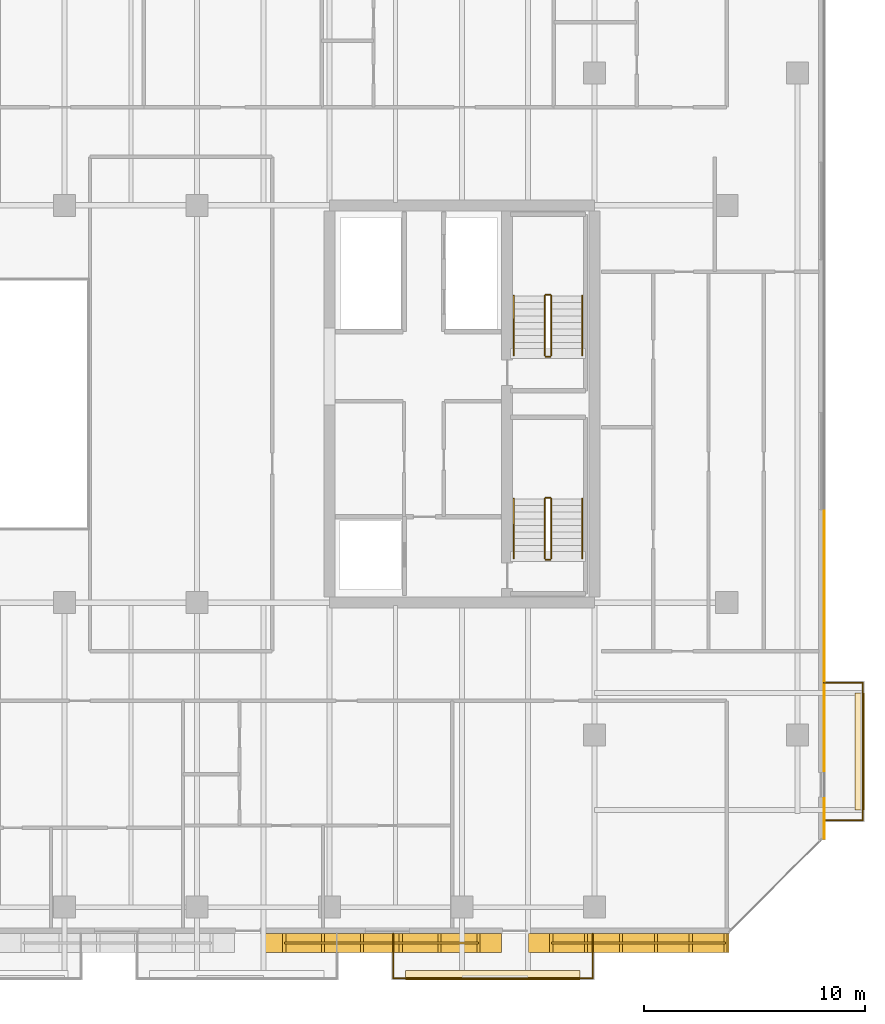
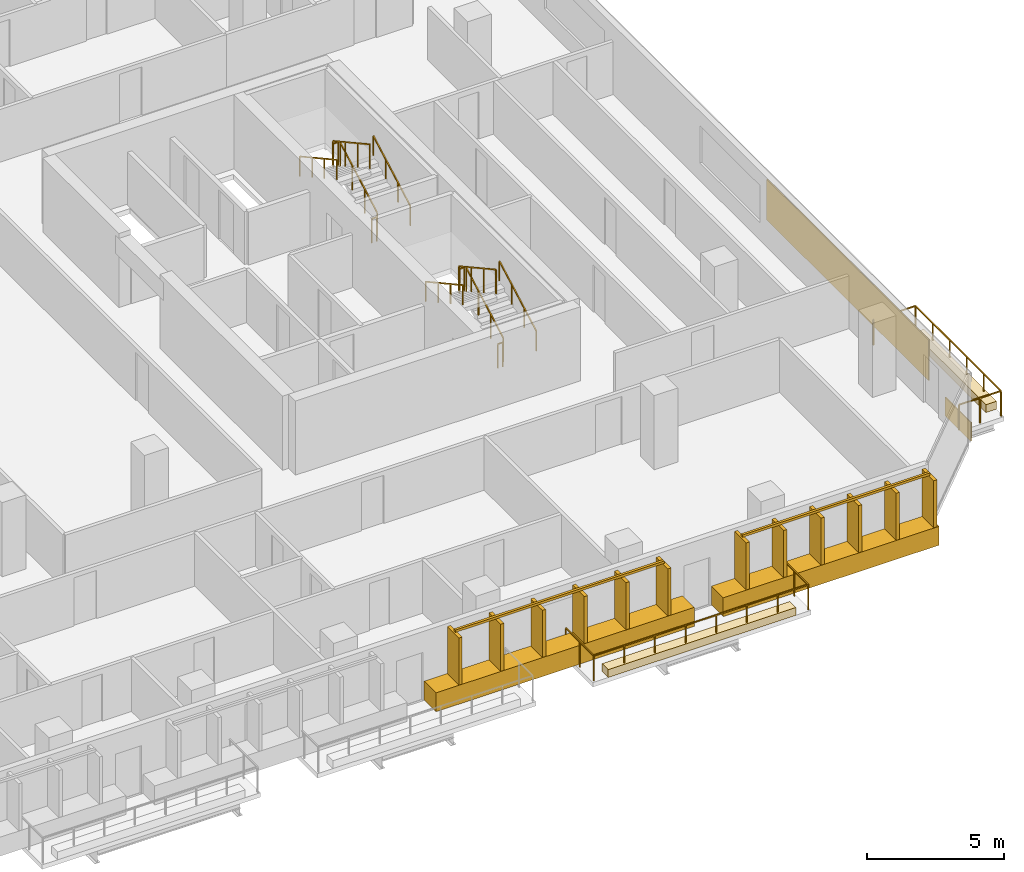
# One storey, part 32 of 33: 16 railings, 6 coverings.
"""IFC4 building model written with IfcOpenShell, lengths in metres."""

from ifc_helpers import new_model, si_unit, direction, frame, origin, origin_2d, place, context, subcontext, project, spatial, polyline, rectangle, outline, extrude, material, layer, layer_set, type_object, element, save


model = new_model("IFC4")

# Units and contexts
model_context = context("Model", 3, precision=1e-05, world=origin(), true_north=direction((0.0, 1.0)))
body_context = subcontext(model_context, "Body", "Model", "MODEL_VIEW")
ifc_project = project(units=[si_unit("LENGTHUNIT", "METRE"), si_unit("AREAUNIT", "SQUARE_METRE"), si_unit("VOLUMEUNIT", "CUBIC_METRE"), si_unit("PLANEANGLEUNIT", "RADIAN"), si_unit("MASSUNIT", "GRAM", prefix="KILO")], contexts=[model_context])

# Site, building, storey
site_placement = place(None, origin())
site = spatial("IfcSite", under=ifc_project, at=site_placement, CompositionType="ELEMENT")
building_placement = place(site_placement, origin())
building = spatial("IfcBuilding", under=site, at=building_placement, Name="Tanjung Sevakor Pilgrim Tower", CompositionType="ELEMENT")
storey_placement = place(building_placement, frame((0.0, 0.0, 95.3701171875)))
storey = spatial("IfcBuildingStorey", under=building, at=storey_placement, Name="L26", CompositionType="ELEMENT", Elevation=95.3701171875)

# Coverings
ifc_material_1 = material(Name="Reconstructed Limestone Cladding", Category="masonry")
ifc_layer_1 = layer(ifc_material_1, 0.044921875)
ifc_layer_set_1 = layer_set([ifc_layer_1], Name="COV-CLAD-LIMESTONE")
covering_type_1 = type_object("IfcCoveringType", Name="COV-CLAD-LIMESTONE", PredefinedType="CLADDING", material=ifc_layer_set_1)
covering_1_placement = place(storey_placement, frame((80.35009765625, 9.169921875, 0.009765625), z_axis=(0.0, 0.0, 1.0), x_axis=(1.0, 0.0, 0.0)))
element("IfcCovering", 1, at=covering_1_placement, inside=storey, type_object=covering_type_1, Name="L26 Warm Limestone Sill Spandrel EW-L26-MAIN-5-3", PredefinedType="CLADDING", context=body_context, shape_type="SweptSolid", body=[
    extrude(rectangle(XDim=10.8798828125, YDim=0.860107421875, at=origin_2d()), origin(), (0.0, 0.0, 1.0), 0.840087890625),
])
covering_2_placement = place(storey_placement, frame((91.55908203125, 9.169921875, 0.009765625), z_axis=(0.0, 0.0, 1.0), x_axis=(1.0, 0.0, 0.0)))
element("IfcCovering", 2, at=covering_2_placement, inside=storey, type_object=covering_type_1, Name="L26 Warm Limestone Sill Spandrel EW-L26-MAIN-5-4", PredefinedType="CLADDING", context=body_context, shape_type="SweptSolid", body=[
    extrude(rectangle(XDim=9.09814453125, YDim=0.860107421875, at=origin_2d()), origin(), (0.0, 0.0, 1.0), 0.840087890625),
])
covering_3_placement = place(storey_placement, frame((100.422607421875, 14.81591796875, 0.009765625), z_axis=(0.0, 0.0, 1.0), x_axis=(0.0, 1.0, 0.0)))
element("IfcCovering", 3, at=covering_3_placement, inside=storey, type_object=covering_type_1, Name="L26 Warm Limestone Sill Spandrel EW-L26-MAIN-7-1", PredefinedType="CLADDING", context=body_context, shape_type="SweptSolid", body=[
    extrude(rectangle(XDim=1.84814453125, YDim=0.044921875, at=origin_2d()), origin(), (0.0, 0.0, 1.0), 0.840087890625),
])
covering_4_placement = place(storey_placement, frame((100.422607421875, 22.85498046875, 0.849853515625), z_axis=(0.0, 0.0, 1.0), x_axis=(0.0, 1.0, 0.0)))
element("IfcCovering", 4, at=covering_4_placement, inside=storey, type_object=covering_type_1, Name="L26 Warm Limestone Pier Panel EW-L26-MAIN-7-1", PredefinedType="CLADDING", context=body_context, shape_type="SweptSolid", body=[
    extrude(rectangle(XDim=11.81005859375, YDim=0.044921875, at=origin_2d()), origin(), (0.0, 0.0, 1.0), 1.81005859375),
])
ifc_material_2 = material(Name="Vegetated Modular Planter Assembly", Category="organic")
ifc_layer_2 = layer(ifc_material_2, 0.35009765625)
ifc_layer_set_2 = layer_set([ifc_layer_2], Name="COV-GRN-TROUGH")
covering_type_2 = type_object("IfcCoveringType", Name="COV-GRN-TROUGH", PredefinedType="CLADDING", material=ifc_layer_set_2)
covering_5_placement = place(storey_placement, origin())
element("IfcCovering", 5, at=covering_5_placement, inside=storey, type_object=covering_type_2, Name="L26 Planted Landscape Hedge Trough BGRN-L26-MAIN-S4", PredefinedType="CLADDING", context=body_context, shape_type="SweptSolid", body=[
    extrude(outline(polyline([(81.449951171875, 7.5), (89.35009765625, 7.5), (89.35009765625, 7.93994140625), (81.449951171875, 7.93994140625), (81.449951171875, 7.5)])), origin(), (0.0, 0.0, 1.0), 0.349853515625),
])
covering_6_placement = place(storey_placement, origin())
element("IfcCovering", 6, at=covering_6_placement, inside=storey, type_object=covering_type_2, Name="L26 Planted Landscape Hedge Trough BGRN-L26-MAIN-E1", PredefinedType="CLADDING", context=body_context, shape_type="SweptSolid", body=[
    extrude(outline(polyline([(102.25, 15.199951171875), (102.25, 20.5), (101.81005859375, 20.5), (101.81005859375, 15.199951171875), (102.25, 15.199951171875)])), origin(), (0.0, 0.0, 1.0), 0.349853515625),
])

# Railings
ifc_material_3 = material(Name="Laminated Glass and Aluminium", Category="aluminium")
railing_type_1 = type_object("IfcRailingType", Name="RL-BAL-BALUST", PredefinedType="BALUSTRADE", material=ifc_material_3)
railing_1_placement = place(storey_placement, frame((80.8798828125, 9.60009765625, 0.0)))
element("IfcRailing", 7, at=railing_1_placement, inside=storey, type_object=railing_type_1, Name="L26 Loggia Balustrade MAIN-S4", PredefinedType="BALUSTRADE", context=body_context, shape_type="SweptSolid", body=[
    extrude(rectangle(XDim=0.0479, YDim=0.0479), frame((0.0, 0.0, 1.1259765625), z_axis=(0.0, -1.0, 0.0), x_axis=(1.0, 0.0, 0.0)), (0.0, 0.0, 1.0), 2.02001953125),
    extrude(rectangle(XDim=0.0479, YDim=0.0479), frame((0.0, -2.02001953125, 1.1259765625), z_axis=(1.0, 0.0, 0.0), x_axis=(0.0, 1.0, 0.0)), (0.0, 0.0, 1.0), 9.0400390625),
    extrude(rectangle(XDim=0.0479, YDim=0.0479), frame((9.0400390625, -2.02001953125, 1.1259765625), z_axis=(0.0, 1.0, 0.0), x_axis=(-1.0, 0.0, 0.0)), (0.0, 0.0, 1.0), 2.02001953125),
    extrude(rectangle(XDim=0.042, YDim=0.042), origin(), (0.0, 0.0, 1.0), 1.101806640625),
    extrude(rectangle(XDim=0.042, YDim=0.042), frame((0.0, -1.010009765625, 0.0)), (0.0, 0.0, 1.0), 1.101806640625),
    extrude(rectangle(XDim=0.042, YDim=0.042), frame((0.0, -2.02001953125, 0.0)), (0.0, 0.0, 1.0), 1.101806640625),
    extrude(rectangle(XDim=0.042, YDim=0.042), frame((1.29150390625, -2.02001953125, 0.0)), (0.0, 0.0, 1.0), 1.101806640625),
    extrude(rectangle(XDim=0.042, YDim=0.042), frame((2.582763671875, -2.02001953125, 0.0)), (0.0, 0.0, 1.0), 1.101806640625),
    extrude(rectangle(XDim=0.042, YDim=0.042), frame((3.874267578125, -2.02001953125, 0.0)), (0.0, 0.0, 1.0), 1.101806640625),
    extrude(rectangle(XDim=0.042, YDim=0.042), frame((5.165771484375, -2.02001953125, 0.0)), (0.0, 0.0, 1.0), 1.101806640625),
    extrude(rectangle(XDim=0.042, YDim=0.042), frame((6.457275390625, -2.02001953125, 0.0)), (0.0, 0.0, 1.0), 1.101806640625),
    extrude(rectangle(XDim=0.042, YDim=0.042), frame((7.74853515625, -2.02001953125, 0.0)), (0.0, 0.0, 1.0), 1.101806640625),
    extrude(rectangle(XDim=0.042, YDim=0.042), frame((9.0400390625, -2.02001953125, 0.0)), (0.0, 0.0, 1.0), 1.101806640625),
    extrude(rectangle(XDim=0.042, YDim=0.042), frame((9.0400390625, -1.010009765625, 0.0)), (0.0, 0.0, 1.0), 1.101806640625),
    extrude(rectangle(XDim=0.042, YDim=0.042), frame((9.0400390625, 0.0, 0.0)), (0.0, 0.0, 1.0), 1.101806640625),
])
railing_2_placement = place(storey_placement, frame((100.39990234375, 14.72998046875, 0.0)))
element("IfcRailing", 8, at=railing_2_placement, inside=storey, type_object=railing_type_1, Name="L26 Loggia Balustrade MAIN-E1", PredefinedType="BALUSTRADE", context=body_context, shape_type="SweptSolid", body=[
    extrude(rectangle(XDim=0.0479, YDim=0.0479), frame((0.0, 0.0, 1.1259765625), z_axis=(1.0, 0.0, 0.0), x_axis=(0.0, 1.0, 0.0)), (0.0, 0.0, 1.0), 1.77001953125),
    extrude(rectangle(XDim=0.0479, YDim=0.0479), frame((1.77001953125, 0.0, 1.1259765625), z_axis=(0.0, 1.0, 0.0), x_axis=(-1.0, 0.0, 0.0)), (0.0, 0.0, 1.0), 6.239990234375),
    extrude(rectangle(XDim=0.0479, YDim=0.0479), frame((1.77001953125, 6.239990234375, 1.1259765625), z_axis=(-1.0, 0.0, 0.0), x_axis=(0.0, -1.0, 0.0)), (0.0, 0.0, 1.0), 1.77001953125),
    extrude(rectangle(XDim=0.042, YDim=0.042), origin(), (0.0, 0.0, 1.0), 1.101806640625),
    extrude(rectangle(XDim=0.042, YDim=0.042), frame((0.885009765625, 0.0, 0.0)), (0.0, 0.0, 1.0), 1.101806640625),
    extrude(rectangle(XDim=0.042, YDim=0.042), frame((1.77001953125, 0.0, 0.0)), (0.0, 0.0, 1.0), 1.101806640625),
    extrude(rectangle(XDim=0.042, YDim=0.042), frame((1.77001953125, 1.248046875, 0.0)), (0.0, 0.0, 1.0), 1.101806640625),
    extrude(rectangle(XDim=0.042, YDim=0.042), frame((1.77001953125, 2.49609375, 0.0)), (0.0, 0.0, 1.0), 1.101806640625),
    extrude(rectangle(XDim=0.042, YDim=0.042), frame((1.77001953125, 3.743896484375, 0.0)), (0.0, 0.0, 1.0), 1.101806640625),
    extrude(rectangle(XDim=0.042, YDim=0.042), frame((1.77001953125, 4.991943359375, 0.0)), (0.0, 0.0, 1.0), 1.101806640625),
    extrude(rectangle(XDim=0.042, YDim=0.042), frame((1.77001953125, 6.239990234375, 0.0)), (0.0, 0.0, 1.0), 1.101806640625),
    extrude(rectangle(XDim=0.042, YDim=0.042), frame((0.885009765625, 6.239990234375, 0.0)), (0.0, 0.0, 1.0), 1.101806640625),
    extrude(rectangle(XDim=0.042, YDim=0.042), frame((0.0, 6.239990234375, 0.0)), (0.0, 0.0, 1.0), 1.101806640625),
])
ifc_material_4 = material(Name="Anodised Bronze Aluminium 6063-T6", Category="aluminium")
railing_type_2 = type_object("IfcRailingType", Name="RL-FIN-SCREEN", PredefinedType="BALUSTRADE", material=ifc_material_4)
railing_3_placement = place(storey_placement, frame((75.949951171875, 9.175048828125, 0.83984375)))
element("IfcRailing", 9, at=railing_3_placement, inside=storey, type_object=railing_type_2, Name="L26 Vertical Bronze-Gold Solar Fin Screen FNSCR-EW-L26-MAIN-5-3", PredefinedType="BALUSTRADE", context=body_context, shape_type="SweptSolid", body=[
    extrude(rectangle(XDim=0.105, YDim=0.105), frame((0.0, 0.0, 2.157470703125), z_axis=(1.0, 0.0, 0.0), x_axis=(0.0, 1.0, 0.0)), (0.0, 0.0, 1.0), 8.800048828125),
    extrude(rectangle(XDim=0.14, YDim=0.85), origin(), (0.0, 0.0, 1.0), 2.10498046875),
    extrude(rectangle(XDim=0.14, YDim=0.85), frame((1.760009765625, 0.0, 0.0)), (0.0, 0.0, 1.0), 2.10498046875),
    extrude(rectangle(XDim=0.14, YDim=0.85), frame((3.52001953125, 0.0, 0.0)), (0.0, 0.0, 1.0), 2.10498046875),
    extrude(rectangle(XDim=0.14, YDim=0.85), frame((5.280029296875, 0.0, 0.0)), (0.0, 0.0, 1.0), 2.10498046875),
    extrude(rectangle(XDim=0.14, YDim=0.85), frame((7.0400390625, 0.0, 0.0)), (0.0, 0.0, 1.0), 2.10498046875),
    extrude(rectangle(XDim=0.14, YDim=0.85), frame((8.800048828125, 0.0, 0.0)), (0.0, 0.0, 1.0), 2.10498046875),
])
railing_4_placement = place(storey_placement, frame((88.050048828125, 9.175048828125, 0.83984375)))
element("IfcRailing", 10, at=railing_4_placement, inside=storey, type_object=railing_type_2, Name="L26 Vertical Bronze-Gold Solar Fin Screen FNSCR-EW-L26-MAIN-5-4", PredefinedType="BALUSTRADE", context=body_context, shape_type="SweptSolid", body=[
    extrude(rectangle(XDim=0.105, YDim=0.105), frame((0.0, 0.0, 2.157470703125), z_axis=(1.0, 0.0, 0.0), x_axis=(0.0, 1.0, 0.0)), (0.0, 0.0, 1.0), 7.898193359375),
    extrude(rectangle(XDim=0.14, YDim=0.85), origin(), (0.0, 0.0, 1.0), 2.10498046875),
    extrude(rectangle(XDim=0.14, YDim=0.85), frame((1.57958984375, 0.0, 0.0)), (0.0, 0.0, 1.0), 2.10498046875),
    extrude(rectangle(XDim=0.14, YDim=0.85), frame((3.1591796875, 0.0, 0.0)), (0.0, 0.0, 1.0), 2.10498046875),
    extrude(rectangle(XDim=0.14, YDim=0.85), frame((4.739013671875, 0.0, 0.0)), (0.0, 0.0, 1.0), 2.10498046875),
    extrude(rectangle(XDim=0.14, YDim=0.85), frame((6.318603515625, 0.0, 0.0)), (0.0, 0.0, 1.0), 2.10498046875),
    extrude(rectangle(XDim=0.14, YDim=0.85), frame((7.898193359375, 0.0, 0.0)), (0.0, 0.0, 1.0), 2.10498046875),
])
ifc_material_5 = material(Name="Steel S355J2", Category="steel")
railing_type_3 = type_object("IfcRailingType", Name="RL-STAIR-GUARD", PredefinedType="GUARDRAIL", material=ifc_material_5)
railing_5_placement = place(storey_placement, frame((88.050048828125, 26.60009765625, 0.164794921875)))
element("IfcRailing", 11, at=railing_5_placement, inside=storey, type_object=railing_type_3, Name="L26 TS-E1 stair guard 1", PredefinedType="GUARDRAIL", context=body_context, shape_type="SweptSolid", body=[
    extrude(rectangle(XDim=0.0479, YDim=0.0479), frame((0.0, 0.0, 1.076171875), z_axis=(0.0, 0.876197507361, 0.481952205197), x_axis=(-1.0, 0.0, 0.0)), (0.0, 0.0, 1.0), 3.08154296875),
    extrude(rectangle(XDim=0.042, YDim=0.042), origin(), (0.0, 0.0, 1.0), 1.052001953125),
    extrude(rectangle(XDim=0.042, YDim=0.042), frame((0.0, 0.89990234375, 0.4951171875)), (0.0, 0.0, 1.0), 1.052001953125),
    extrude(rectangle(XDim=0.042, YDim=0.042), frame((0.0, 1.800048828125, 0.989990234375)), (0.0, 0.0, 1.0), 1.052001953125),
    extrude(rectangle(XDim=0.042, YDim=0.042), frame((0.0, 2.699951171875, 1.485107421875)), (0.0, 0.0, 1.0), 1.052001953125),
])
railing_6_placement = place(storey_placement, frame((88.0, 29.35009765625, 1.64990234375)))
element("IfcRailing", 12, at=railing_6_placement, inside=storey, type_object=railing_type_3, Name="L26 TS-E1 stair guard 2", PredefinedType="GUARDRAIL", context=body_context, shape_type="SweptSolid", body=[
    extrude(rectangle(XDim=0.0479, YDim=0.0479), frame((0.0, 0.0, 1.076171875), z_axis=(-1.0, 0.0, 0.0), x_axis=(0.0, -1.0, 0.0)), (0.0, 0.0, 1.0), 0.199951171875),
    extrude(rectangle(XDim=0.042, YDim=0.042), origin(), (0.0, 0.0, 1.0), 1.052001953125),
    extrude(rectangle(XDim=0.042, YDim=0.042), frame((-0.199951171875, 0.0, 0.0)), (0.0, 0.0, 1.0), 1.052001953125),
])
railing_7_placement = place(storey_placement, frame((87.75, 29.300048828125, 1.81494140625)))
element("IfcRailing", 13, at=railing_7_placement, inside=storey, type_object=railing_type_3, Name="L26 TS-E1 stair guard 3", PredefinedType="GUARDRAIL", context=body_context, shape_type="SweptSolid", body=[
    extrude(rectangle(XDim=0.0479, YDim=0.0479), frame((0.0, 0.0, 1.076171875), z_axis=(0.0, -0.876230963923, 0.481891375584), x_axis=(1.0, 0.0, 0.0)), (0.0, 0.0, 1.0), 3.081298828125),
    extrude(rectangle(XDim=0.042, YDim=0.042), origin(), (0.0, 0.0, 1.0), 1.052001953125),
    extrude(rectangle(XDim=0.042, YDim=0.042), frame((0.0, -0.89990234375, 0.494873046875)), (0.0, 0.0, 1.0), 1.052001953125),
    extrude(rectangle(XDim=0.042, YDim=0.042), frame((0.0, -1.800048828125, 0.989990234375)), (0.0, 0.0, 1.0), 1.052001953125),
    extrude(rectangle(XDim=0.042, YDim=0.042), frame((0.0, -2.699951171875, 1.48486328125)), (0.0, 0.0, 1.0), 1.052001953125),
])
railing_8_placement = place(storey_placement, frame((88.0, 26.550048828125, 0.0)))
element("IfcRailing", 14, at=railing_8_placement, inside=storey, type_object=railing_type_3, Name="L26 TS-E1 stair guard 4", PredefinedType="GUARDRAIL", context=body_context, shape_type="SweptSolid", body=[
    extrude(rectangle(XDim=0.0479, YDim=0.0479), frame((0.0, 0.0, 1.076171875), z_axis=(-1.0, 0.0, 0.0), x_axis=(0.0, -1.0, 0.0)), (0.0, 0.0, 1.0), 0.199951171875),
    extrude(rectangle(XDim=0.042, YDim=0.042), origin(), (0.0, 0.0, 1.0), 1.052001953125),
    extrude(rectangle(XDim=0.042, YDim=0.042), frame((-0.199951171875, 0.0, 0.0)), (0.0, 0.0, 1.0), 1.052001953125),
])
railing_9_placement = place(storey_placement, frame((88.050048828125, 35.800048828125, 0.164794921875)))
element("IfcRailing", 15, at=railing_9_placement, inside=storey, type_object=railing_type_3, Name="L26 TS-E2 stair guard 1", PredefinedType="GUARDRAIL", context=body_context, shape_type="SweptSolid", body=[
    extrude(rectangle(XDim=0.0479, YDim=0.0479), frame((0.0, 0.0, 1.076171875), z_axis=(0.0, 0.876197507361, 0.481952205197), x_axis=(-1.0, 0.0, 0.0)), (0.0, 0.0, 1.0), 3.08154296875),
    extrude(rectangle(XDim=0.042, YDim=0.042), origin(), (0.0, 0.0, 1.0), 1.052001953125),
    extrude(rectangle(XDim=0.042, YDim=0.042), frame((0.0, 0.89990234375, 0.4951171875)), (0.0, 0.0, 1.0), 1.052001953125),
    extrude(rectangle(XDim=0.042, YDim=0.042), frame((0.0, 1.800048828125, 0.989990234375)), (0.0, 0.0, 1.0), 1.052001953125),
    extrude(rectangle(XDim=0.042, YDim=0.042), frame((0.0, 2.699951171875, 1.485107421875)), (0.0, 0.0, 1.0), 1.052001953125),
])
railing_10_placement = place(storey_placement, frame((88.0, 38.550048828125, 1.64990234375)))
element("IfcRailing", 16, at=railing_10_placement, inside=storey, type_object=railing_type_3, Name="L26 TS-E2 stair guard 2", PredefinedType="GUARDRAIL", context=body_context, shape_type="SweptSolid", body=[
    extrude(rectangle(XDim=0.0479, YDim=0.0479), frame((0.0, 0.0, 1.076171875), z_axis=(-1.0, 0.0, 0.0), x_axis=(0.0, -1.0, 0.0)), (0.0, 0.0, 1.0), 0.199951171875),
    extrude(rectangle(XDim=0.042, YDim=0.042), origin(), (0.0, 0.0, 1.0), 1.052001953125),
    extrude(rectangle(XDim=0.042, YDim=0.042), frame((-0.199951171875, 0.0, 0.0)), (0.0, 0.0, 1.0), 1.052001953125),
])
railing_11_placement = place(storey_placement, frame((87.75, 38.5, 1.81494140625)))
element("IfcRailing", 17, at=railing_11_placement, inside=storey, type_object=railing_type_3, Name="L26 TS-E2 stair guard 3", PredefinedType="GUARDRAIL", context=body_context, shape_type="SweptSolid", body=[
    extrude(rectangle(XDim=0.0479, YDim=0.0479), frame((0.0, 0.0, 1.076171875), z_axis=(0.0, -0.876230963923, 0.481891375584), x_axis=(1.0, 0.0, 0.0)), (0.0, 0.0, 1.0), 3.081298828125),
    extrude(rectangle(XDim=0.042, YDim=0.042), origin(), (0.0, 0.0, 1.0), 1.052001953125),
    extrude(rectangle(XDim=0.042, YDim=0.042), frame((0.0, -0.89990234375, 0.494873046875)), (0.0, 0.0, 1.0), 1.052001953125),
    extrude(rectangle(XDim=0.042, YDim=0.042), frame((0.0, -1.800048828125, 0.989990234375)), (0.0, 0.0, 1.0), 1.052001953125),
    extrude(rectangle(XDim=0.042, YDim=0.042), frame((0.0, -2.699951171875, 1.48486328125)), (0.0, 0.0, 1.0), 1.052001953125),
])
railing_12_placement = place(storey_placement, frame((88.0, 35.75, 0.0)))
element("IfcRailing", 18, at=railing_12_placement, inside=storey, type_object=railing_type_3, Name="L26 TS-E2 stair guard 4", PredefinedType="GUARDRAIL", context=body_context, shape_type="SweptSolid", body=[
    extrude(rectangle(XDim=0.0479, YDim=0.0479), frame((0.0, 0.0, 1.076171875), z_axis=(-1.0, 0.0, 0.0), x_axis=(0.0, -1.0, 0.0)), (0.0, 0.0, 1.0), 0.199951171875),
    extrude(rectangle(XDim=0.042, YDim=0.042), origin(), (0.0, 0.0, 1.0), 1.052001953125),
    extrude(rectangle(XDim=0.042, YDim=0.042), frame((-0.199951171875, 0.0, 0.0)), (0.0, 0.0, 1.0), 1.052001953125),
])
ifc_material_6 = material(Name="Steel S355J2", Category="steel")
railing_type_4 = type_object("IfcRailingType", Name="RL-STAIR-HAND", PredefinedType="HANDRAIL", material=ifc_material_6)
railing_13_placement = place(storey_placement, frame((89.449951171875, 26.60009765625, 0.164794921875)))
element("IfcRailing", 19, at=railing_13_placement, inside=storey, type_object=railing_type_4, Name="L26 TS-E1 stair handrail 1", PredefinedType="HANDRAIL", context=body_context, shape_type="SweptSolid", body=[
    extrude(rectangle(XDim=0.0479, YDim=0.0479), frame((0.0, 0.0, 0.8759765625), z_axis=(0.0, 0.876197507361, 0.481952205197), x_axis=(-1.0, 0.0, 0.0)), (0.0, 0.0, 1.0), 3.08154296875),
    extrude(rectangle(XDim=0.042, YDim=0.042), origin(), (0.0, 0.0, 1.0), 0.851806640625),
    extrude(rectangle(XDim=0.042, YDim=0.042), frame((0.0, 0.89990234375, 0.4951171875)), (0.0, 0.0, 1.0), 0.851806640625),
    extrude(rectangle(XDim=0.042, YDim=0.042), frame((0.0, 1.800048828125, 0.989990234375)), (0.0, 0.0, 1.0), 0.851806640625),
    extrude(rectangle(XDim=0.042, YDim=0.042), frame((0.0, 2.699951171875, 1.485107421875)), (0.0, 0.0, 1.0), 0.851806640625),
])
railing_14_placement = place(storey_placement, frame((86.35009765625, 29.300048828125, 1.81494140625)))
element("IfcRailing", 20, at=railing_14_placement, inside=storey, type_object=railing_type_4, Name="L26 TS-E1 stair handrail 2", PredefinedType="HANDRAIL", context=body_context, shape_type="SweptSolid", body=[
    extrude(rectangle(XDim=0.0479, YDim=0.0479), frame((0.0, 0.0, 0.8759765625), z_axis=(0.0, -0.876230963923, 0.481891375584), x_axis=(1.0, 0.0, 0.0)), (0.0, 0.0, 1.0), 3.081298828125),
    extrude(rectangle(XDim=0.042, YDim=0.042), origin(), (0.0, 0.0, 1.0), 0.851806640625),
    extrude(rectangle(XDim=0.042, YDim=0.042), frame((0.0, -0.89990234375, 0.494873046875)), (0.0, 0.0, 1.0), 0.851806640625),
    extrude(rectangle(XDim=0.042, YDim=0.042), frame((0.0, -1.800048828125, 0.989990234375)), (0.0, 0.0, 1.0), 0.851806640625),
    extrude(rectangle(XDim=0.042, YDim=0.042), frame((0.0, -2.699951171875, 1.48486328125)), (0.0, 0.0, 1.0), 0.851806640625),
])
railing_15_placement = place(storey_placement, frame((89.449951171875, 35.800048828125, 0.164794921875)))
element("IfcRailing", 21, at=railing_15_placement, inside=storey, type_object=railing_type_4, Name="L26 TS-E2 stair handrail 1", PredefinedType="HANDRAIL", context=body_context, shape_type="SweptSolid", body=[
    extrude(rectangle(XDim=0.0479, YDim=0.0479), frame((0.0, 0.0, 0.8759765625), z_axis=(0.0, 0.876197507361, 0.481952205197), x_axis=(-1.0, 0.0, 0.0)), (0.0, 0.0, 1.0), 3.08154296875),
    extrude(rectangle(XDim=0.042, YDim=0.042), origin(), (0.0, 0.0, 1.0), 0.851806640625),
    extrude(rectangle(XDim=0.042, YDim=0.042), frame((0.0, 0.89990234375, 0.4951171875)), (0.0, 0.0, 1.0), 0.851806640625),
    extrude(rectangle(XDim=0.042, YDim=0.042), frame((0.0, 1.800048828125, 0.989990234375)), (0.0, 0.0, 1.0), 0.851806640625),
    extrude(rectangle(XDim=0.042, YDim=0.042), frame((0.0, 2.699951171875, 1.485107421875)), (0.0, 0.0, 1.0), 0.851806640625),
])
railing_16_placement = place(storey_placement, frame((86.35009765625, 38.5, 1.81494140625)))
element("IfcRailing", 22, at=railing_16_placement, inside=storey, type_object=railing_type_4, Name="L26 TS-E2 stair handrail 2", PredefinedType="HANDRAIL", context=body_context, shape_type="SweptSolid", body=[
    extrude(rectangle(XDim=0.0479, YDim=0.0479), frame((0.0, 0.0, 0.8759765625), z_axis=(0.0, -0.876230963923, 0.481891375584), x_axis=(1.0, 0.0, 0.0)), (0.0, 0.0, 1.0), 3.081298828125),
    extrude(rectangle(XDim=0.042, YDim=0.042), origin(), (0.0, 0.0, 1.0), 0.851806640625),
    extrude(rectangle(XDim=0.042, YDim=0.042), frame((0.0, -0.89990234375, 0.494873046875)), (0.0, 0.0, 1.0), 0.851806640625),
    extrude(rectangle(XDim=0.042, YDim=0.042), frame((0.0, -1.800048828125, 0.989990234375)), (0.0, 0.0, 1.0), 0.851806640625),
    extrude(rectangle(XDim=0.042, YDim=0.042), frame((0.0, -2.699951171875, 1.48486328125)), (0.0, 0.0, 1.0), 0.851806640625),
])

save(model, "model.ifc")
